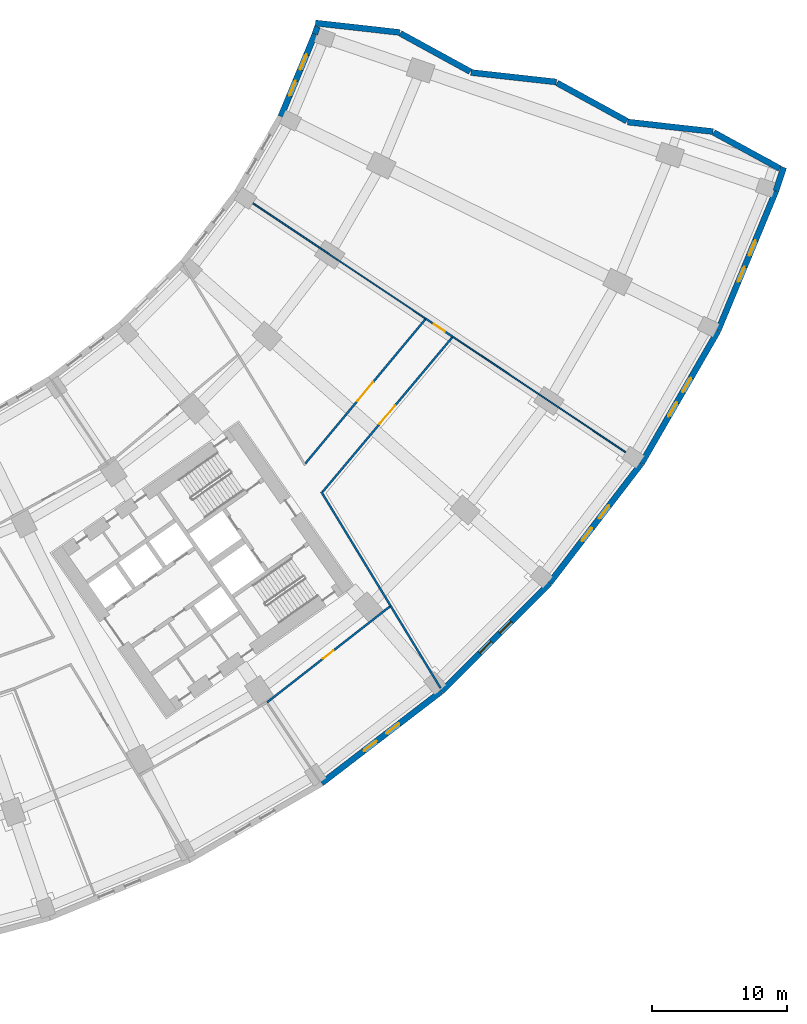
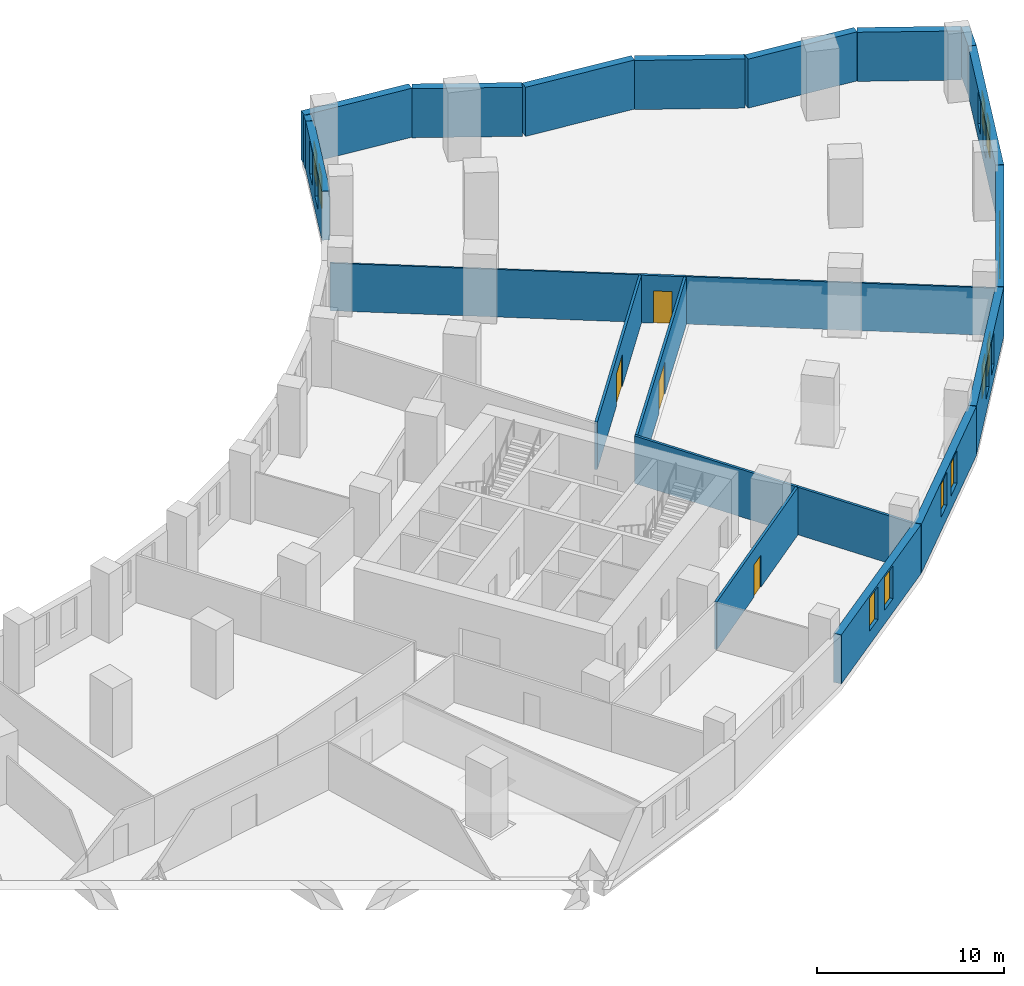
# One storey, part 14 of 19: 22 walls, 12 windows, 4 doors, 16 openings.
"""IFC4 building model written with IfcOpenShell, lengths in metres."""

from ifc_helpers import new_model, si_unit, direction, frame, frame_2d, origin, place, context, subcontext, project, spatial, rectangle, extrude, material, layer, layer_set, type_object, element, fill, save


model = new_model("IFC4")

# Units and contexts
model_context = context("Model", 3, precision=1e-05, world=origin(), true_north=direction((0.0, 1.0)))
body_context = subcontext(model_context, "Body", "Model", "MODEL_VIEW")
ifc_project = project(units=[si_unit("LENGTHUNIT", "METRE"), si_unit("AREAUNIT", "SQUARE_METRE"), si_unit("VOLUMEUNIT", "CUBIC_METRE"), si_unit("PLANEANGLEUNIT", "RADIAN"), si_unit("MASSUNIT", "GRAM", prefix="KILO")], contexts=[model_context])

# Site, building, storey
site_placement = place(None, origin())
site = spatial("IfcSite", under=ifc_project, at=site_placement, CompositionType="ELEMENT")
building_placement = place(site_placement, origin())
building = spatial("IfcBuilding", under=site, at=building_placement, Name="Qamariyya Broadcast Tower", CompositionType="ELEMENT")
storey_placement = place(building_placement, frame((0.0, 0.0, 36.0)))
storey = spatial("IfcBuildingStorey", under=building, at=storey_placement, Name="L05", CompositionType="ELEMENT", Elevation=36.0)

# Wall, opening, door
ifc_material_1 = material(Name="Gypsum board partition")
ifc_layer_1 = layer(ifc_material_1, 0.14990234375)
ifc_layer_set_1 = layer_set([ifc_layer_1], Name="Corridor partition 150 EI 60")
wall_type_1 = type_object("IfcWallType", Name="Corridor partition 150 EI 60", PredefinedType="PARTITIONING", material=ifc_layer_set_1)
wall_1_placement = place(storey_placement, frame((52.876708984375, -58.417724609375, 0.0), z_axis=(0.0, 0.0, 1.0), x_axis=(-0.788255221118, -0.615348443063, 0.0)))
wall_1 = element("IfcWall", 1, at=wall_1_placement, inside=storey, type_object=wall_type_1, Name="Partition L05-057", PredefinedType="PARTITIONING", context=body_context, shape_type="SweptSolid", body=[
    extrude(rectangle(XDim=11.54150390625, YDim=0.14990234375, at=frame_2d((5.770751953125, 0.0))), origin(), (0.0, 0.0, 1.0), 3.10009765625),
])
opening_1_placement = place(wall_1_placement, frame((5.270751953125, 0.0, 0.0)))
opening_1 = element("IfcOpeningElement", 2, at=opening_1_placement, cuts=wall_1, Name="Opening L05-D25", PredefinedType="OPENING", context=body_context, shape_type="SweptSolid", body=[
    extrude(rectangle(XDim=1.0, YDim=2.10009765625, at=frame_2d((0.5, 1.050048828125))), frame((0.0, 0.0849609375, 0.0), z_axis=(0.0, -1.0, 0.0), x_axis=(1.0, 0.0, 0.0)), (0.0, 0.0, 1.0), 0.169921875),
])
ifc_material_2 = material(Name="Timber fire door leaf", Category="wood")
door_type_1 = type_object("IfcDoorType", Name="Fire door 1000 x 2100 FD60", OperationType="NOTDEFINED", PredefinedType="DOOR", material=ifc_material_2)
door_1_placement = place(opening_1_placement, origin())
door_1 = element("IfcDoor", 3, at=door_1_placement, inside=storey, type_object=door_type_1, Name="Door L05-D25", OperationType="SINGLE_SWING_RIGHT", OverallHeight=2.10009765625, OverallWidth=1.0, PredefinedType="DOOR", context=body_context, shape_type="SweptSolid", body=[
    extrude(rectangle(XDim=1.0, YDim=2.10009765625, at=frame_2d((0.5, 1.050048828125))), frame((0.0, 0.02490234375, 0.0), z_axis=(0.0, -1.0, 0.0), x_axis=(1.0, 0.0, 0.0)), (0.0, 0.0, 1.0), 0.050048828125),
])
fill(opening_1, door_1)

wall_2_placement = place(storey_placement, frame((46.6171875, -47.833251953125, 0.0), z_axis=(0.0, 0.0, 1.0), x_axis=(0.639786242962, 0.768552902093, 0.0)))
wall_2 = element("IfcWall", 4, at=wall_2_placement, inside=storey, type_object=wall_type_1, Name="Partition L05-058", PredefinedType="PARTITIONING", context=body_context, shape_type="SweptSolid", body=[
    extrude(rectangle(XDim=13.874755859375, YDim=0.14990234375, at=frame_2d((6.9375, 0.0))), origin(), (0.0, 0.0, 1.0), 3.10009765625),
])
opening_2_placement = place(wall_2_placement, frame((6.037353515625, 0.0, 0.0)))
opening_2 = element("IfcOpeningElement", 5, at=opening_2_placement, cuts=wall_2, Name="Opening L05-D26", PredefinedType="OPENING", context=body_context, shape_type="SweptSolid", body=[
    extrude(rectangle(XDim=1.800048828125, YDim=2.10009765625, at=frame_2d((0.89990234375, 1.050048828125))), frame((0.0, 0.0849609375, 0.0), z_axis=(0.0, -1.0, 0.0), x_axis=(1.0, 0.0, 0.0)), (0.0, 0.0, 1.0), 0.169921875),
])
door_type_2 = type_object("IfcDoorType", Name="Double fire door 1800 x 2100 FD60", OperationType="NOTDEFINED", PredefinedType="DOOR", material=ifc_material_2)
door_2_placement = place(opening_2_placement, origin())
door_2 = element("IfcDoor", 6, at=door_2_placement, inside=storey, type_object=door_type_2, Name="Door L05-D26", OperationType="DOUBLE_DOOR_SINGLE_SWING", OverallHeight=2.10009765625, OverallWidth=1.800048828125, PredefinedType="DOOR", context=body_context, shape_type="SweptSolid", body=[
    extrude(rectangle(XDim=1.800048828125, YDim=2.10009765625, at=frame_2d((0.89990234375, 1.050048828125))), frame((0.0, 0.02490234375, 0.0), z_axis=(0.0, -1.0, 0.0), x_axis=(1.0, 0.0, 0.0)), (0.0, 0.0, 1.0), 0.050048828125),
])
fill(opening_2, door_2)

# Wall
wall_3_placement = place(storey_placement, frame((47.8076171875, -49.929443359375, 0.0), z_axis=(0.0, 0.0, 1.0), x_axis=(0.519169679695, -0.854671190392, 0.0)))
element("IfcWall", 7, at=wall_3_placement, inside=storey, type_object=wall_type_1, Name="Partition L05-059", PredefinedType="PARTITIONING", context=body_context, shape_type="SweptSolid", body=[
    extrude(rectangle(XDim=9.877685546875, YDim=0.14990234375, at=frame_2d((4.93896484375, 0.0))), origin(), (0.0, 0.0, 1.0), 3.10009765625),
])

# Wall, opening, door
wall_4_placement = place(storey_placement, frame((57.489501953125, -38.5029296875, 0.0), z_axis=(0.0, 0.0, 1.0), x_axis=(-0.642835259292, -0.766004457828, 0.0)))
wall_4 = element("IfcWall", 8, at=wall_4_placement, inside=storey, type_object=wall_type_1, Name="Partition L05-060", PredefinedType="PARTITIONING", context=body_context, shape_type="SweptSolid", body=[
    extrude(rectangle(XDim=14.925537109375, YDim=0.14990234375, at=frame_2d((7.462890625, 0.0))), origin(), (0.0, 0.0, 1.0), 3.10009765625),
])
opening_3_placement = place(wall_4_placement, frame((6.562744140625, 0.0, 0.0)))
opening_3 = element("IfcOpeningElement", 9, at=opening_3_placement, cuts=wall_4, Name="Opening L05-D27", PredefinedType="OPENING", context=body_context, shape_type="SweptSolid", body=[
    extrude(rectangle(XDim=1.800048828125, YDim=2.10009765625, at=frame_2d((0.89990234375, 1.050048828125))), frame((0.0, 0.0849609375, 0.0), z_axis=(0.0, -1.0, 0.0), x_axis=(1.0, 0.0, 0.0)), (0.0, 0.0, 1.0), 0.169921875),
])
door_3_placement = place(opening_3_placement, origin())
door_3 = element("IfcDoor", 10, at=door_3_placement, inside=storey, type_object=door_type_2, Name="Door L05-D27", OperationType="DOUBLE_DOOR_SINGLE_SWING", OverallHeight=2.10009765625, OverallWidth=1.800048828125, PredefinedType="DOOR", context=body_context, shape_type="SweptSolid", body=[
    extrude(rectangle(XDim=1.800048828125, YDim=2.10009765625, at=frame_2d((0.89990234375, 1.050048828125))), frame((0.0, 0.02490234375, 0.0), z_axis=(0.0, -1.0, 0.0), x_axis=(1.0, 0.0, 0.0)), (0.0, 0.0, 1.0), 0.050048828125),
])
fill(opening_3, door_3)

# Wall
wall_5_placement = place(storey_placement, frame((52.935791015625, -58.37158203125, 0.0), z_axis=(0.0, 0.0, 1.0), x_axis=(0.519148894699, -0.854683815883, 0.0)))
element("IfcWall", 11, at=wall_5_placement, inside=storey, type_object=wall_type_1, Name="Partition L05-062", PredefinedType="PARTITIONING", context=body_context, shape_type="SweptSolid", body=[
    extrude(rectangle(XDim=7.12548828125, YDim=0.14990234375, at=frame_2d((3.562744140625, 0.0))), origin(), (0.0, 0.0, 1.0), 3.10009765625),
])

# Wall, opening, door
wall_6_placement = place(storey_placement, frame((55.542236328125, -37.112060546875, 0.0), z_axis=(0.0, 0.0, 1.0), x_axis=(0.831423745392, -0.555638871569, 0.0)))
wall_6 = element("IfcWall", 12, at=wall_6_placement, inside=storey, type_object=wall_type_1, Name="Partition L05-064", PredefinedType="PARTITIONING", context=body_context, shape_type="SweptSolid", body=[
    extrude(rectangle(XDim=2.39990234375, YDim=0.14990234375, at=frame_2d((1.199951171875, 0.0))), origin(), (0.0, 0.0, 1.0), 3.10009765625),
])
opening_4_placement = place(wall_6_placement, frame((0.699951171875, 0.0, 0.0)))
opening_4 = element("IfcOpeningElement", 13, at=opening_4_placement, cuts=wall_6, Name="Opening L05-D28", PredefinedType="OPENING", context=body_context, shape_type="SweptSolid", body=[
    extrude(rectangle(XDim=1.0, YDim=2.10009765625, at=frame_2d((0.5, 1.050048828125))), frame((0.0, 0.0849609375, 0.0), z_axis=(0.0, -1.0, 0.0), x_axis=(1.0, 0.0, 0.0)), (0.0, 0.0, 1.0), 0.169921875),
])
door_4_placement = place(opening_4_placement, origin())
door_4 = element("IfcDoor", 14, at=door_4_placement, inside=storey, type_object=door_type_1, Name="Door L05-D28", OperationType="SINGLE_SWING_RIGHT", OverallHeight=2.10009765625, OverallWidth=1.0, PredefinedType="DOOR", context=body_context, shape_type="SweptSolid", body=[
    extrude(rectangle(XDim=1.0, YDim=2.10009765625, at=frame_2d((0.5, 1.050048828125))), frame((0.0, 0.02490234375, 0.0), z_axis=(0.0, -1.0, 0.0), x_axis=(1.0, 0.0, 0.0)), (0.0, 0.0, 1.0), 0.050048828125),
])
fill(opening_4, door_4)

# Walls
ifc_layer_2 = layer(ifc_material_1, 0.10009765625)
ifc_layer_set_2 = layer_set([ifc_layer_2], Name="Partition 100")
wall_type_2 = type_object("IfcWallType", Name="Partition 100", PredefinedType="PARTITIONING", material=ifc_layer_set_2)
for number, where, z_axis, x_axis, name in (
    (15, (55.542236328125, -37.112060546875, 0.0), (0.0, 0.0, 1.0), (-0.831472868546, 0.555565359677, 0.0), "Partition L05-063"),
    (16, (71.340087890625, -47.66796875, 0.0), (0.0, 0.0, 1.0), (-0.831472868546, 0.555565359677, 0.0), "Partition L05-065"),
):
    element("IfcWall", number, at=place(storey_placement, frame(where, z_axis=z_axis, x_axis=x_axis)), inside=storey, type_object=wall_type_2, Name=name, PredefinedType="PARTITIONING", context=body_context, shape_type="SweptSolid", body=[
        extrude(rectangle(XDim=16.60009765625, YDim=0.10009765625, at=frame_2d((8.300048828125, 0.0))), origin(), (0.0, 0.0, 1.0), 3.10009765625),
    ])
ifc_material_3 = material(Name="Precast concrete C40/50 with terracotta facing", Category="masonry")
ifc_layer_3 = layer(ifc_material_3, 0.449951171875)
ifc_layer_set_3 = layer_set([ifc_layer_3], Name="Precast concrete C40/50 wall 450, terracotta faced")
wall_type_3 = type_object("IfcWallType", Name="Precast concrete C40/50 wall 450, terracotta faced", PredefinedType="SOLIDWALL", material=ifc_layer_set_3)
wall_7_placement = place(storey_placement, frame((81.734130859375, -25.98974609375, 0.0), z_axis=(0.0, 0.0, 1.0), x_axis=(-0.877209140108, 0.480108450781, 0.0)))
element("IfcWall", 17, at=wall_7_placement, inside=storey, type_object=wall_type_3, Name="e-wl-L05-capE0", PredefinedType="SOLIDWALL", context=body_context, shape_type="SweptSolid", body=[
    extrude(rectangle(XDim=5.552978515625, YDim=0.449951171875, at=frame_2d((2.7763671875, 0.0))), origin(), (0.0, 0.0, 1.0), 3.199951171875),
])
wall_8_placement = place(storey_placement, frame((76.803955078125, -23.254638671875, 0.0), z_axis=(0.0, 0.0, 1.0), x_axis=(-0.993813805196, 0.111059086081, 0.0)))
element("IfcWall", 18, at=wall_8_placement, inside=storey, type_object=wall_type_3, Name="e-wl-L05-capE1", PredefinedType="SOLIDWALL", context=body_context, shape_type="SweptSolid", body=[
    extrude(rectangle(XDim=6.36181640625, YDim=0.449951171875, at=frame_2d((3.180908203125, 0.0))), origin(), (0.0, 0.0, 1.0), 3.199951171875),
])
wall_9_placement = place(storey_placement, frame((70.42236328125, -22.47900390625, 0.0), z_axis=(0.0, 0.0, 1.0), x_axis=(-0.877230259454, 0.480069861477, 0.0)))
element("IfcWall", 19, at=wall_9_placement, inside=storey, type_object=wall_type_3, Name="e-wl-L05-capE2", PredefinedType="SOLIDWALL", context=body_context, shape_type="SweptSolid", body=[
    extrude(rectangle(XDim=5.883544921875, YDim=0.449951171875, at=frame_2d((2.94189453125, 0.0))), origin(), (0.0, 0.0, 1.0), 3.199951171875),
])
wall_10_placement = place(storey_placement, frame((65.201904296875, -19.58544921875, 0.0), z_axis=(0.0, 0.0, 1.0), x_axis=(-0.993818963433, 0.111012917816, 0.0)))
element("IfcWall", 20, at=wall_10_placement, inside=storey, type_object=wall_type_3, Name="e-wl-L05-capE3", PredefinedType="SOLIDWALL", context=body_context, shape_type="SweptSolid", body=[
    extrude(rectangle(XDim=6.360107421875, YDim=0.449951171875, at=frame_2d((3.18017578125, 0.0))), origin(), (0.0, 0.0, 1.0), 3.199951171875),
])
wall_11_placement = place(storey_placement, frame((58.822021484375, -18.810302734375, 0.0), z_axis=(0.0, 0.0, 1.0), x_axis=(-0.87728135657, 0.479976480064, 0.0)))
element("IfcWall", 21, at=wall_11_placement, inside=storey, type_object=wall_type_3, Name="e-wl-L05-capE4", PredefinedType="SOLIDWALL", context=body_context, shape_type="SweptSolid", body=[
    extrude(rectangle(XDim=5.885498046875, YDim=0.449951171875, at=frame_2d((2.94287109375, 0.0))), origin(), (0.0, 0.0, 1.0), 3.199951171875),
])
wall_12_placement = place(storey_placement, frame((53.599365234375, -15.916015625, 0.0), z_axis=(0.0, 0.0, 1.0), x_axis=(-0.993827533543, 0.110936168908, 0.0)))
element("IfcWall", 22, at=wall_12_placement, inside=storey, type_object=wall_type_3, Name="e-wl-L05-capE5", PredefinedType="SOLIDWALL", context=body_context, shape_type="SweptSolid", body=[
    extrude(rectangle(XDim=6.265380859375, YDim=0.449951171875, at=frame_2d((3.1328125, 0.0))), origin(), (0.0, 0.0, 1.0), 3.199951171875),
])

# Wall, openings, windows
wall_13_placement = place(storey_placement, frame((47.32666015625, -16.055908203125, 0.0), z_axis=(0.0, 0.0, 1.0), x_axis=(-0.382692796414, -0.92387565374, 0.0)))
wall_13 = element("IfcWall", 23, at=wall_13_placement, inside=storey, type_object=wall_type_3, Name="e-wl-L05-in190", PredefinedType="SOLIDWALL", context=body_context, shape_type="SweptSolid", body=[
    extrude(rectangle(XDim=6.575927734375, YDim=0.449951171875, at=frame_2d((3.2880859375, 0.0))), origin(), (0.0, 0.0, 1.0), 3.199951171875),
])
opening_5_placement = place(wall_13_placement, frame((3.727294921875, 0.0, 0.89990234375)))
opening_5 = element("IfcOpeningElement", 24, at=opening_5_placement, cuts=wall_13, Name="Opening W3", PredefinedType="OPENING", context=body_context, shape_type="SweptSolid", body=[
    extrude(rectangle(XDim=1.199951171875, YDim=2.14990234375, at=frame_2d((0.60009765625, 1.074951171875))), frame((0.0, 0.23486328125, 0.0), z_axis=(0.0, -1.0, 0.0), x_axis=(1.0, 0.0, 0.0)), (0.0, 0.0, 1.0), 0.469970703125),
])
opening_6_placement = place(wall_13_placement, frame((1.62744140625, 0.0, 0.89990234375)))
opening_6 = element("IfcOpeningElement", 25, at=opening_6_placement, cuts=wall_13, Name="Opening W3", PredefinedType="OPENING", context=body_context, shape_type="SweptSolid", body=[
    extrude(rectangle(XDim=1.199951171875, YDim=2.14990234375, at=frame_2d((0.60009765625, 1.074951171875))), frame((0.0, 0.23486328125, 0.0), z_axis=(0.0, -1.0, 0.0), x_axis=(1.0, 0.0, 0.0)), (0.0, 0.0, 1.0), 0.469970703125),
])
ifc_material_4 = material(Name="Clear low-e double glazed unit in aluminium frame", Category="aluminium")
window_type = type_object("IfcWindowType", Name="Podium window 1200 x 2150", PartitioningType="SINGLE_PANEL", PredefinedType="WINDOW", material=ifc_material_4)
window_1_placement = place(opening_5_placement, origin())
window_1 = element("IfcWindow", 26, at=window_1_placement, inside=storey, type_object=window_type, Name="e-w-L05-in19a", OverallHeight=2.14990234375, OverallWidth=1.199951171875, PartitioningType="SINGLE_PANEL", PredefinedType="WINDOW", context=body_context, shape_type="SweptSolid", body=[
    extrude(rectangle(XDim=1.199951171875, YDim=2.14990234375, at=frame_2d((0.60009765625, 1.074951171875))), frame((0.0, 0.030029296875, 0.0), z_axis=(0.0, -1.0, 0.0), x_axis=(1.0, 0.0, 0.0)), (0.0, 0.0, 1.0), 0.06005859375),
])
fill(opening_5, window_1)
window_2_placement = place(opening_6_placement, origin())
window_2 = element("IfcWindow", 27, at=window_2_placement, inside=storey, type_object=window_type, Name="e-w-L05-in19b", OverallHeight=2.14990234375, OverallWidth=1.199951171875, PartitioningType="SINGLE_PANEL", PredefinedType="WINDOW", context=body_context, shape_type="SweptSolid", body=[
    extrude(rectangle(XDim=1.199951171875, YDim=2.14990234375, at=frame_2d((0.60009765625, 1.074951171875))), frame((0.0, 0.030029296875, 0.0), z_axis=(0.0, -1.0, 0.0), x_axis=(1.0, 0.0, 0.0)), (0.0, 0.0, 1.0), 0.06005859375),
])
fill(opening_6, window_2)

# Wall
wall_14_placement = place(storey_placement, frame((47.508544921875, -15.497314453125, 0.0), z_axis=(0.0, 0.0, 1.0), x_axis=(-0.311474670585, -0.950254455177, 0.0)))
element("IfcWall", 28, at=wall_14_placement, inside=storey, type_object=wall_type_3, Name="e-wl-L05-in200", PredefinedType="SOLIDWALL", context=body_context, shape_type="SweptSolid", body=[
    extrude(rectangle(XDim=0.570556640625, YDim=0.449951171875, at=frame_2d((0.28515625, 0.0))), origin(), (0.0, 0.0, 1.0), 3.199951171875),
])

# Wall, openings, windows
wall_15_placement = place(storey_placement, frame((47.83935546875, -71.490966796875, 0.0), z_axis=(0.0, 0.0, 1.0), x_axis=(0.793355377778, 0.608758773695, 0.0)))
wall_15 = element("IfcWall", 29, at=wall_15_placement, inside=storey, type_object=wall_type_3, Name="e-wl-L05-out150", PredefinedType="SOLIDWALL", context=body_context, shape_type="SweptSolid", body=[
    extrude(rectangle(XDim=11.134765625, YDim=0.449951171875, at=frame_2d((5.5673828125, 0.0))), origin(), (0.0, 0.0, 1.0), 3.199951171875),
])
opening_7_placement = place(wall_15_placement, frame((3.917236328125, 0.0, 0.89990234375)))
opening_7 = element("IfcOpeningElement", 30, at=opening_7_placement, cuts=wall_15, Name="Opening W3", PredefinedType="OPENING", context=body_context, shape_type="SweptSolid", body=[
    extrude(rectangle(XDim=1.199951171875, YDim=2.14990234375, at=frame_2d((0.60009765625, 1.074951171875))), frame((0.0, 0.23486328125, 0.0), z_axis=(0.0, -1.0, 0.0), x_axis=(1.0, 0.0, 0.0)), (0.0, 0.0, 1.0), 0.469970703125),
])
opening_8_placement = place(wall_15_placement, frame((6.017333984375, 0.0, 0.89990234375)))
opening_8 = element("IfcOpeningElement", 31, at=opening_8_placement, cuts=wall_15, Name="Opening W3", PredefinedType="OPENING", context=body_context, shape_type="SweptSolid", body=[
    extrude(rectangle(XDim=1.199951171875, YDim=2.14990234375, at=frame_2d((0.60009765625, 1.074951171875))), frame((0.0, 0.23486328125, 0.0), z_axis=(0.0, -1.0, 0.0), x_axis=(1.0, 0.0, 0.0)), (0.0, 0.0, 1.0), 0.469970703125),
])
window_3_placement = place(opening_7_placement, origin())
window_3 = element("IfcWindow", 32, at=window_3_placement, inside=storey, type_object=window_type, Name="e-w-L05-out15a", OverallHeight=2.14990234375, OverallWidth=1.199951171875, PartitioningType="SINGLE_PANEL", PredefinedType="WINDOW", context=body_context, shape_type="SweptSolid", body=[
    extrude(rectangle(XDim=1.199951171875, YDim=2.14990234375, at=frame_2d((0.60009765625, 1.074951171875))), frame((0.0, 0.030029296875, 0.0), z_axis=(0.0, -1.0, 0.0), x_axis=(1.0, 0.0, 0.0)), (0.0, 0.0, 1.0), 0.06005859375),
])
fill(opening_7, window_3)
window_4_placement = place(opening_8_placement, origin())
window_4 = element("IfcWindow", 33, at=window_4_placement, inside=storey, type_object=window_type, Name="e-w-L05-out15b", OverallHeight=2.14990234375, OverallWidth=1.199951171875, PartitioningType="SINGLE_PANEL", PredefinedType="WINDOW", context=body_context, shape_type="SweptSolid", body=[
    extrude(rectangle(XDim=1.199951171875, YDim=2.14990234375, at=frame_2d((0.60009765625, 1.074951171875))), frame((0.0, 0.030029296875, 0.0), z_axis=(0.0, -1.0, 0.0), x_axis=(1.0, 0.0, 0.0)), (0.0, 0.0, 1.0), 0.06005859375),
])
fill(opening_8, window_4)

wall_16_placement = place(storey_placement, frame((56.69873046875, -64.69775390625, 0.0), z_axis=(0.0, 0.0, 1.0), x_axis=(0.707106781187, 0.707106781187, 0.0)))
wall_16 = element("IfcWall", 34, at=wall_16_placement, inside=storey, type_object=wall_type_3, Name="e-wl-L05-out160", PredefinedType="SOLIDWALL", context=body_context, shape_type="SweptSolid", body=[
    extrude(rectangle(XDim=11.312255859375, YDim=0.449951171875, at=frame_2d((5.65625, 0.0))), origin(), (0.0, 0.0, 1.0), 3.199951171875),
])
opening_9_placement = place(wall_16_placement, frame((4.00634765625, 0.0, 0.89990234375)))
opening_9 = element("IfcOpeningElement", 35, at=opening_9_placement, cuts=wall_16, Name="Opening W3", PredefinedType="OPENING", context=body_context, shape_type="SweptSolid", body=[
    extrude(rectangle(XDim=1.199951171875, YDim=2.14990234375, at=frame_2d((0.60009765625, 1.074951171875))), frame((0.0, 0.23486328125, 0.0), z_axis=(0.0, -1.0, 0.0), x_axis=(1.0, 0.0, 0.0)), (0.0, 0.0, 1.0), 0.469970703125),
])
opening_10_placement = place(wall_16_placement, frame((6.106201171875, 0.0, 0.89990234375)))
opening_10 = element("IfcOpeningElement", 36, at=opening_10_placement, cuts=wall_16, Name="Opening W3", PredefinedType="OPENING", context=body_context, shape_type="SweptSolid", body=[
    extrude(rectangle(XDim=1.199951171875, YDim=2.14990234375, at=frame_2d((0.60009765625, 1.074951171875))), frame((0.0, 0.23486328125, 0.0), z_axis=(0.0, -1.0, 0.0), x_axis=(1.0, 0.0, 0.0)), (0.0, 0.0, 1.0), 0.469970703125),
])
window_5_placement = place(opening_9_placement, origin())
window_5 = element("IfcWindow", 37, at=window_5_placement, inside=storey, type_object=window_type, Name="e-w-L05-out16a", OverallHeight=2.14990234375, OverallWidth=1.199951171875, PartitioningType="SINGLE_PANEL", PredefinedType="WINDOW", context=body_context, shape_type="SweptSolid", body=[
    extrude(rectangle(XDim=1.199951171875, YDim=2.14990234375, at=frame_2d((0.60009765625, 1.074951171875))), frame((0.0, 0.030029296875, 0.0), z_axis=(0.0, -1.0, 0.0), x_axis=(1.0, 0.0, 0.0)), (0.0, 0.0, 1.0), 0.06005859375),
])
fill(opening_9, window_5)
window_6_placement = place(opening_10_placement, origin())
window_6 = element("IfcWindow", 38, at=window_6_placement, inside=storey, type_object=window_type, Name="e-w-L05-out16b", OverallHeight=2.14990234375, OverallWidth=1.199951171875, PartitioningType="SINGLE_PANEL", PredefinedType="WINDOW", context=body_context, shape_type="SweptSolid", body=[
    extrude(rectangle(XDim=1.199951171875, YDim=2.14990234375, at=frame_2d((0.60009765625, 1.074951171875))), frame((0.0, 0.030029296875, 0.0), z_axis=(0.0, -1.0, 0.0), x_axis=(1.0, 0.0, 0.0)), (0.0, 0.0, 1.0), 0.06005859375),
])
fill(opening_10, window_6)

wall_17_placement = place(storey_placement, frame((64.712646484375, -56.673095703125, 0.0), z_axis=(0.0, 0.0, 1.0), x_axis=(0.608758773695, 0.793355377778, 0.0)))
wall_17 = element("IfcWall", 39, at=wall_17_placement, inside=storey, type_object=wall_type_3, Name="e-wl-L05-out170", PredefinedType="SOLIDWALL", context=body_context, shape_type="SweptSolid", body=[
    extrude(rectangle(XDim=11.134765625, YDim=0.449951171875, at=frame_2d((5.5673828125, 0.0))), origin(), (0.0, 0.0, 1.0), 3.199951171875),
])
opening_11_placement = place(wall_17_placement, frame((3.917236328125, 0.0, 0.89990234375)))
opening_11 = element("IfcOpeningElement", 40, at=opening_11_placement, cuts=wall_17, Name="Opening W3", PredefinedType="OPENING", context=body_context, shape_type="SweptSolid", body=[
    extrude(rectangle(XDim=1.199951171875, YDim=2.14990234375, at=frame_2d((0.60009765625, 1.074951171875))), frame((0.0, 0.23486328125, 0.0), z_axis=(0.0, -1.0, 0.0), x_axis=(1.0, 0.0, 0.0)), (0.0, 0.0, 1.0), 0.469970703125),
])
opening_12_placement = place(wall_17_placement, frame((6.017333984375, 0.0, 0.89990234375)))
opening_12 = element("IfcOpeningElement", 41, at=opening_12_placement, cuts=wall_17, Name="Opening W3", PredefinedType="OPENING", context=body_context, shape_type="SweptSolid", body=[
    extrude(rectangle(XDim=1.199951171875, YDim=2.14990234375, at=frame_2d((0.60009765625, 1.074951171875))), frame((0.0, 0.23486328125, 0.0), z_axis=(0.0, -1.0, 0.0), x_axis=(1.0, 0.0, 0.0)), (0.0, 0.0, 1.0), 0.469970703125),
])
window_7_placement = place(opening_11_placement, origin())
window_7 = element("IfcWindow", 42, at=window_7_placement, inside=storey, type_object=window_type, Name="e-w-L05-out17a", OverallHeight=2.14990234375, OverallWidth=1.199951171875, PartitioningType="SINGLE_PANEL", PredefinedType="WINDOW", context=body_context, shape_type="SweptSolid", body=[
    extrude(rectangle(XDim=1.199951171875, YDim=2.14990234375, at=frame_2d((0.60009765625, 1.074951171875))), frame((0.0, 0.030029296875, 0.0), z_axis=(0.0, -1.0, 0.0), x_axis=(1.0, 0.0, 0.0)), (0.0, 0.0, 1.0), 0.06005859375),
])
fill(opening_11, window_7)
window_8_placement = place(opening_12_placement, origin())
window_8 = element("IfcWindow", 43, at=window_8_placement, inside=storey, type_object=window_type, Name="e-w-L05-out17b", OverallHeight=2.14990234375, OverallWidth=1.199951171875, PartitioningType="SINGLE_PANEL", PredefinedType="WINDOW", context=body_context, shape_type="SweptSolid", body=[
    extrude(rectangle(XDim=1.199951171875, YDim=2.14990234375, at=frame_2d((0.60009765625, 1.074951171875))), frame((0.0, 0.030029296875, 0.0), z_axis=(0.0, -1.0, 0.0), x_axis=(1.0, 0.0, 0.0)), (0.0, 0.0, 1.0), 0.06005859375),
])
fill(opening_12, window_8)

wall_18_placement = place(storey_placement, frame((71.51171875, -47.818603515625, 0.0), z_axis=(0.0, 0.0, 1.0), x_axis=(0.500001430823, 0.866024577697, 0.0)))
wall_18 = element("IfcWall", 44, at=wall_18_placement, inside=storey, type_object=wall_type_3, Name="e-wl-L05-out180", PredefinedType="SOLIDWALL", context=body_context, shape_type="SweptSolid", body=[
    extrude(rectangle(XDim=11.3125, YDim=0.449951171875, at=frame_2d((5.65625, 0.0))), origin(), (0.0, 0.0, 1.0), 3.199951171875),
])
opening_13_placement = place(wall_18_placement, frame((4.00634765625, 0.0, 0.89990234375)))
opening_13 = element("IfcOpeningElement", 45, at=opening_13_placement, cuts=wall_18, Name="Opening W3", PredefinedType="OPENING", context=body_context, shape_type="SweptSolid", body=[
    extrude(rectangle(XDim=1.199951171875, YDim=2.14990234375, at=frame_2d((0.60009765625, 1.074951171875))), frame((0.0, 0.23486328125, 0.0), z_axis=(0.0, -1.0, 0.0), x_axis=(1.0, 0.0, 0.0)), (0.0, 0.0, 1.0), 0.469970703125),
])
opening_14_placement = place(wall_18_placement, frame((6.106201171875, 0.0, 0.89990234375)))
opening_14 = element("IfcOpeningElement", 46, at=opening_14_placement, cuts=wall_18, Name="Opening W3", PredefinedType="OPENING", context=body_context, shape_type="SweptSolid", body=[
    extrude(rectangle(XDim=1.199951171875, YDim=2.14990234375, at=frame_2d((0.60009765625, 1.074951171875))), frame((0.0, 0.23486328125, 0.0), z_axis=(0.0, -1.0, 0.0), x_axis=(1.0, 0.0, 0.0)), (0.0, 0.0, 1.0), 0.469970703125),
])
window_9_placement = place(opening_13_placement, origin())
window_9 = element("IfcWindow", 47, at=window_9_placement, inside=storey, type_object=window_type, Name="e-w-L05-out18a", OverallHeight=2.14990234375, OverallWidth=1.199951171875, PartitioningType="SINGLE_PANEL", PredefinedType="WINDOW", context=body_context, shape_type="SweptSolid", body=[
    extrude(rectangle(XDim=1.199951171875, YDim=2.14990234375, at=frame_2d((0.60009765625, 1.074951171875))), frame((0.0, 0.030029296875, 0.0), z_axis=(0.0, -1.0, 0.0), x_axis=(1.0, 0.0, 0.0)), (0.0, 0.0, 1.0), 0.06005859375),
])
fill(opening_13, window_9)
window_10_placement = place(opening_14_placement, origin())
window_10 = element("IfcWindow", 48, at=window_10_placement, inside=storey, type_object=window_type, Name="e-w-L05-out18b", OverallHeight=2.14990234375, OverallWidth=1.199951171875, PartitioningType="SINGLE_PANEL", PredefinedType="WINDOW", context=body_context, shape_type="SweptSolid", body=[
    extrude(rectangle(XDim=1.199951171875, YDim=2.14990234375, at=frame_2d((0.60009765625, 1.074951171875))), frame((0.0, 0.030029296875, 0.0), z_axis=(0.0, -1.0, 0.0), x_axis=(1.0, 0.0, 0.0)), (0.0, 0.0, 1.0), 0.06005859375),
])
fill(opening_14, window_10)

wall_19_placement = place(storey_placement, frame((77.175537109375, -37.9931640625, 0.0), z_axis=(0.0, 0.0, 1.0), x_axis=(0.382700611107, 0.923872416656, 0.0)))
wall_19 = element("IfcWall", 49, at=wall_19_placement, inside=storey, type_object=wall_type_3, Name="e-wl-L05-out190", PredefinedType="SOLIDWALL", context=body_context, shape_type="SweptSolid", body=[
    extrude(rectangle(XDim=11.167724609375, YDim=0.449951171875, at=frame_2d((5.583984375, 0.0))), origin(), (0.0, 0.0, 1.0), 3.199951171875),
])
opening_15_placement = place(wall_19_placement, frame((3.917236328125, 0.0, 0.89990234375)))
opening_15 = element("IfcOpeningElement", 50, at=opening_15_placement, cuts=wall_19, Name="Opening W3", PredefinedType="OPENING", context=body_context, shape_type="SweptSolid", body=[
    extrude(rectangle(XDim=1.199951171875, YDim=2.14990234375, at=frame_2d((0.60009765625, 1.074951171875))), frame((0.0, 0.23486328125, 0.0), z_axis=(0.0, -1.0, 0.0), x_axis=(1.0, 0.0, 0.0)), (0.0, 0.0, 1.0), 0.469970703125),
])
opening_16_placement = place(wall_19_placement, frame((6.017333984375, 0.0, 0.89990234375)))
opening_16 = element("IfcOpeningElement", 51, at=opening_16_placement, cuts=wall_19, Name="Opening W3", PredefinedType="OPENING", context=body_context, shape_type="SweptSolid", body=[
    extrude(rectangle(XDim=1.199951171875, YDim=2.14990234375, at=frame_2d((0.60009765625, 1.074951171875))), frame((0.0, 0.23486328125, 0.0), z_axis=(0.0, -1.0, 0.0), x_axis=(1.0, 0.0, 0.0)), (0.0, 0.0, 1.0), 0.469970703125),
])
window_11_placement = place(opening_15_placement, origin())
window_11 = element("IfcWindow", 52, at=window_11_placement, inside=storey, type_object=window_type, Name="e-w-L05-out19a", OverallHeight=2.14990234375, OverallWidth=1.199951171875, PartitioningType="SINGLE_PANEL", PredefinedType="WINDOW", context=body_context, shape_type="SweptSolid", body=[
    extrude(rectangle(XDim=1.199951171875, YDim=2.14990234375, at=frame_2d((0.60009765625, 1.074951171875))), frame((0.0, 0.030029296875, 0.0), z_axis=(0.0, -1.0, 0.0), x_axis=(1.0, 0.0, 0.0)), (0.0, 0.0, 1.0), 0.06005859375),
])
fill(opening_15, window_11)
window_12_placement = place(opening_16_placement, origin())
window_12 = element("IfcWindow", 53, at=window_12_placement, inside=storey, type_object=window_type, Name="e-w-L05-out19b", OverallHeight=2.14990234375, OverallWidth=1.199951171875, PartitioningType="SINGLE_PANEL", PredefinedType="WINDOW", context=body_context, shape_type="SweptSolid", body=[
    extrude(rectangle(XDim=1.199951171875, YDim=2.14990234375, at=frame_2d((0.60009765625, 1.074951171875))), frame((0.0, 0.030029296875, 0.0), z_axis=(0.0, -1.0, 0.0), x_axis=(1.0, 0.0, 0.0)), (0.0, 0.0, 1.0), 0.06005859375),
])
fill(opening_16, window_12)

# Wall
wall_20_placement = place(storey_placement, frame((81.456787109375, -27.66015625, 0.0), z_axis=(0.0, 0.0, 1.0), x_axis=(0.311621150825, 0.95020642934, 0.0)))
element("IfcWall", 54, at=wall_20_placement, inside=storey, type_object=wall_type_3, Name="e-wl-L05-out200", PredefinedType="SOLIDWALL", context=body_context, shape_type="SweptSolid", body=[
    extrude(rectangle(XDim=1.845703125, YDim=0.449951171875, at=frame_2d((0.9228515625, 0.0))), origin(), (0.0, 0.0, 1.0), 3.199951171875),
])

save(model, "model.ifc")
